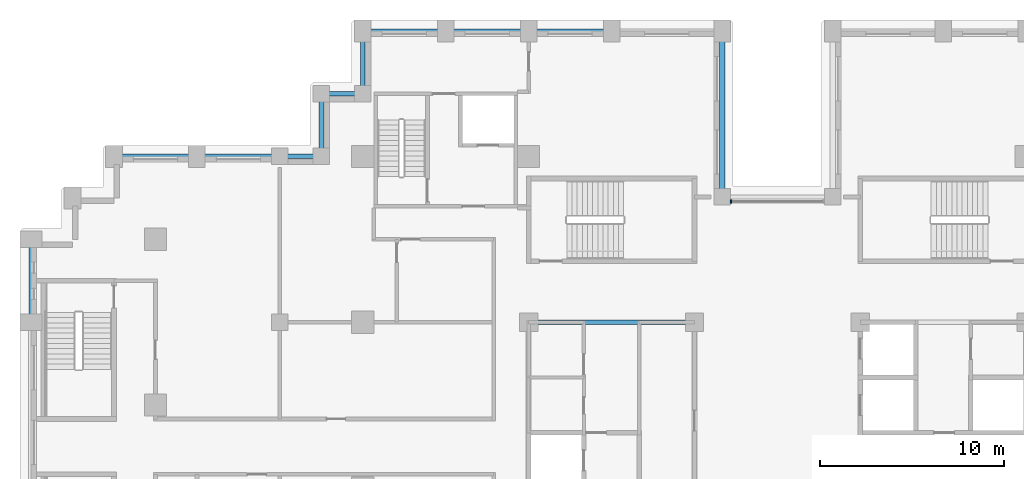
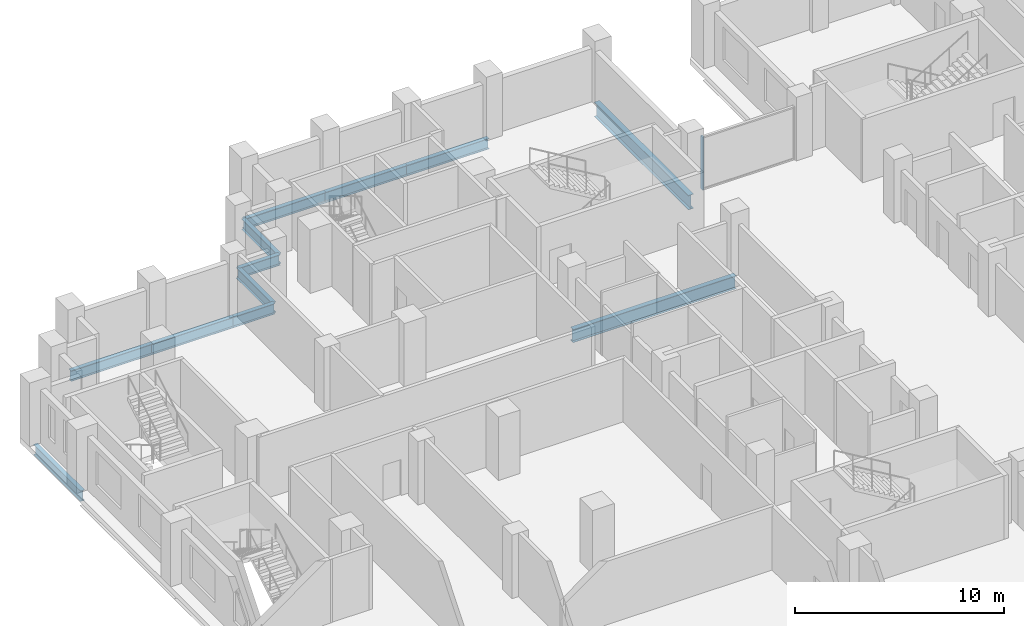
# One storey, part 3 of 15: 12 beams, 1 member, 1 element without a shape of its own.
"""IFC4 building model written with IfcOpenShell, lengths in metres."""

from ifc_helpers import new_model, si_unit, direction, frame, origin, origin_2d, place, context, subcontext, project, spatial, rectangle, i_section, extrude, material, layer, layer_set, material_profile, profile_set, type_object, element, aggregate, save


model = new_model("IFC4")

# Units and contexts
model_context = context("Model", 3, precision=1e-05, world=origin(), true_north=direction((0.0, 1.0)))
body_context = subcontext(model_context, "Body", "Model", "MODEL_VIEW")
ifc_project = project(units=[si_unit("LENGTHUNIT", "METRE"), si_unit("AREAUNIT", "SQUARE_METRE"), si_unit("VOLUMEUNIT", "CUBIC_METRE"), si_unit("PLANEANGLEUNIT", "RADIAN"), si_unit("MASSUNIT", "GRAM", prefix="KILO")], contexts=[model_context])

# Site, building, storey
site_placement = place(None, origin())
site = spatial("IfcSite", under=ifc_project, at=site_placement, CompositionType="ELEMENT")
building_placement = place(site_placement, origin())
building = spatial("IfcBuilding", under=site, at=building_placement, Name="Corbelhall Arena Tower", CompositionType="ELEMENT")
storey_placement = place(building_placement, frame((0.0, 0.0, 84.0)))
storey = spatial("IfcBuildingStorey", under=building, at=storey_placement, Name="L13", CompositionType="ELEMENT", Elevation=84.0)

# Curtain wall, member
ifc_material_1 = material(Name="Aluminium black anodised", Category="aluminium")
ifc_layer = layer(ifc_material_1, 0.199951171875)
ifc_layer_set = layer_set([ifc_layer], Name="EV-CW1 Slot back wall")
curtain_wall_type = type_object("IfcCurtainWallType", Name="EV-CW1 Slot back wall", PredefinedType="NOTDEFINED", material=ifc_layer_set)
curtain_wall_placement = place(storey_placement, origin())
curtain_wall = element("IfcCurtainWall", 1, at=curtain_wall_placement, inside=storey, type_object=curtain_wall_type, Name="Curtain wall CW1", PredefinedType="NOTDEFINED")
ifc_material_profile_1 = material_profile(ifc_material_1, rectangle(XDim=0.199951171875, YDim=0.074951171875, at=origin_2d()))
ifc_profile_set_1 = profile_set([ifc_material_profile_1], Name="Aluminium black anodised")
member_type = type_object("IfcMemberType", Name="EV-CW1-MULLION", PredefinedType="MULLION", material=ifc_profile_set_1)
member_placement = place(storey_placement, frame((-2.512451171875, 15.550048828125, 0.0), z_axis=(0.0, 0.0, 1.0), x_axis=(0.0, -1.0, 0.0)))
member = element("IfcMember", 2, at=member_placement, type_object=member_type, Name="CW1 mullion 2", PredefinedType="MULLION", context=body_context, shape_type="SweptSolid", body=[
    extrude(rectangle(XDim=0.199951171875, YDim=0.074951171875, at=origin_2d()), origin(), (0.0, 0.0, 1.0), 3.10009765625),
])
aggregate(curtain_wall, [member])

# Beams
ifc_material_2 = material(Name="Steel ASTM A992 Gr50", Category="steel")
ifc_material_profile_2 = material_profile(ifc_material_2, i_section(OverallWidth=0.2666015625, OverallDepth=0.761962890625, WebThickness=0.014404296875, FlangeThickness=0.021484375, at=origin_2d()))
ifc_profile_set_2 = profile_set([ifc_material_profile_2], Name="Steel ASTM A992 Gr50")
beam_type_1 = type_object("IfcBeamType", Name="ST-BEAM-W30x116", PredefinedType="BEAM", material=ifc_profile_set_2)
beam_1_placement = place(storey_placement, frame((-13.5, 9.0, -0.680908203125), z_axis=(1.0, 0.0, 0.0), x_axis=(0.0, 1.0, 0.0)))
element("IfcBeam", 3, at=beam_1_placement, inside=storey, type_object=beam_type_1, Name="Beam CEW 6", PredefinedType="BEAM", context=body_context, shape_type="SweptSolid", body=[
    extrude(i_section(OverallWidth=0.2666015625, OverallDepth=0.761962890625, WebThickness=0.014404296875, FlangeThickness=0.021484375, at=origin_2d()), origin(), (0.0, 0.0, 1.0), 9.0),
])
ifc_material_profile_3 = material_profile(ifc_material_2, i_section(OverallWidth=0.23046875, OverallDepth=0.6171875, WebThickness=0.01318359375, FlangeThickness=0.022216796875, at=origin_2d()))
ifc_profile_set_3 = profile_set([ifc_material_profile_3], Name="Steel ASTM A992 Gr50")
beam_type_2 = type_object("IfcBeamType", Name="ST-SPANDREL-W24x94", PredefinedType="SPANDREL", material=ifc_profile_set_3)
for number, where, z_axis, x_axis, name in (
    (4, (-40.5, 9.0, -0.608642578125), (0.0, 1.0, 0.0), (-1.0, 0.0, 0.0), "Beam SP 2"),
    (5, (-31.5, 18.0, -0.608642578125), (1.0, 0.0, 0.0), (0.0, 1.0, 0.0), "Beam SP 5"),
    (6, (-36.0, 18.0, -0.608642578125), (1.0, 0.0, 0.0), (0.0, 1.0, 0.0), "Beam SP 6"),
    (7, (-13.5, 24.800048828125, -0.608642578125), (1.0, 0.0, 0.0), (0.0, 1.0, 0.0), "Beam SP 24"),
    (8, (-18.0, 24.800048828125, -0.608642578125), (1.0, 0.0, 0.0), (0.0, 1.0, 0.0), "Beam SP 25"),
    (9, (-22.5, 24.800048828125, -0.608642578125), (1.0, 0.0, 0.0), (0.0, 1.0, 0.0), "Beam SP 26"),
):
    element("IfcBeam", number, at=place(storey_placement, frame(where, z_axis=z_axis, x_axis=x_axis)), inside=storey, type_object=beam_type_2, Name=name, PredefinedType="SPANDREL", context=body_context, shape_type="SweptSolid", body=[
        extrude(i_section(OverallWidth=0.23046875, OverallDepth=0.6171875, WebThickness=0.01318359375, FlangeThickness=0.022216796875, at=origin_2d()), origin(), (0.0, 0.0, 1.0), 4.5),
    ])
beam_2_placement = place(storey_placement, frame((-27.0, 18.0, -0.608642578125), z_axis=(1.0, 0.0, 0.0), x_axis=(0.0, 1.0, 0.0)))
element("IfcBeam", 10, at=beam_2_placement, inside=storey, type_object=beam_type_2, Name="Beam SP 37", PredefinedType="SPANDREL", context=body_context, shape_type="SweptSolid", body=[
    extrude(i_section(OverallWidth=0.23046875, OverallDepth=0.6171875, WebThickness=0.01318359375, FlangeThickness=0.022216796875, at=origin_2d()), origin(), (0.0, 0.0, 1.0), 2.25),
])
beam_3_placement = place(storey_placement, frame((-22.5, 21.39990234375, -0.608642578125), z_axis=(0.0, 1.0, 0.0), x_axis=(-1.0, 0.0, 0.0)))
element("IfcBeam", 11, at=beam_3_placement, inside=storey, type_object=beam_type_2, Name="Beam SP 46", PredefinedType="SPANDREL", context=body_context, shape_type="SweptSolid", body=[
    extrude(i_section(OverallWidth=0.23046875, OverallDepth=0.6171875, WebThickness=0.01318359375, FlangeThickness=0.022216796875, at=origin_2d()), origin(), (0.0, 0.0, 1.0), 3.400146484375),
])
beam_4_placement = place(storey_placement, frame((-24.75, 21.39990234375, -0.608642578125), z_axis=(1.0, 0.0, 0.0), x_axis=(0.0, 1.0, 0.0)))
element("IfcBeam", 12, at=beam_4_placement, inside=storey, type_object=beam_type_2, Name="Beam SP 47", PredefinedType="SPANDREL", context=body_context, shape_type="SweptSolid", body=[
    extrude(i_section(OverallWidth=0.23046875, OverallDepth=0.6171875, WebThickness=0.01318359375, FlangeThickness=0.022216796875, at=origin_2d()), origin(), (0.0, 0.0, 1.0), 2.25),
])
beam_5_placement = place(storey_placement, frame((-24.75, 18.0, -0.608642578125), z_axis=(0.0, 1.0, 0.0), x_axis=(-1.0, 0.0, 0.0)))
element("IfcBeam", 13, at=beam_5_placement, inside=storey, type_object=beam_type_2, Name="Beam SP 48", PredefinedType="SPANDREL", context=body_context, shape_type="SweptSolid", body=[
    extrude(i_section(OverallWidth=0.23046875, OverallDepth=0.6171875, WebThickness=0.01318359375, FlangeThickness=0.022216796875, at=origin_2d()), origin(), (0.0, 0.0, 1.0), 3.39990234375),
])
ifc_material_profile_4 = material_profile(ifc_material_2, i_section(OverallWidth=0.2919921875, OverallDepth=0.845703125, WebThickness=0.015380859375, FlangeThickness=0.0244140625, at=origin_2d()))
ifc_profile_set_4 = profile_set([ifc_material_profile_4], Name="Steel ASTM A992 Gr50")
beam_type_3 = type_object("IfcBeamType", Name="ST-SPANDREL-W33x141", PredefinedType="SPANDREL", material=ifc_profile_set_4)
beam_6_placement = place(storey_placement, frame((-3.0, 24.800048828125, -0.722900390625), z_axis=(0.0, -1.0, 0.0), x_axis=(1.0, 0.0, 0.0)))
element("IfcBeam", 14, at=beam_6_placement, inside=storey, type_object=beam_type_3, Name="Beam SP 22", PredefinedType="SPANDREL", context=body_context, shape_type="SweptSolid", body=[
    extrude(i_section(OverallWidth=0.2919921875, OverallDepth=0.845703125, WebThickness=0.015380859375, FlangeThickness=0.0244140625, at=origin_2d()), origin(), (0.0, 0.0, 1.0), 9.0),
])

save(model, "model.ifc")
